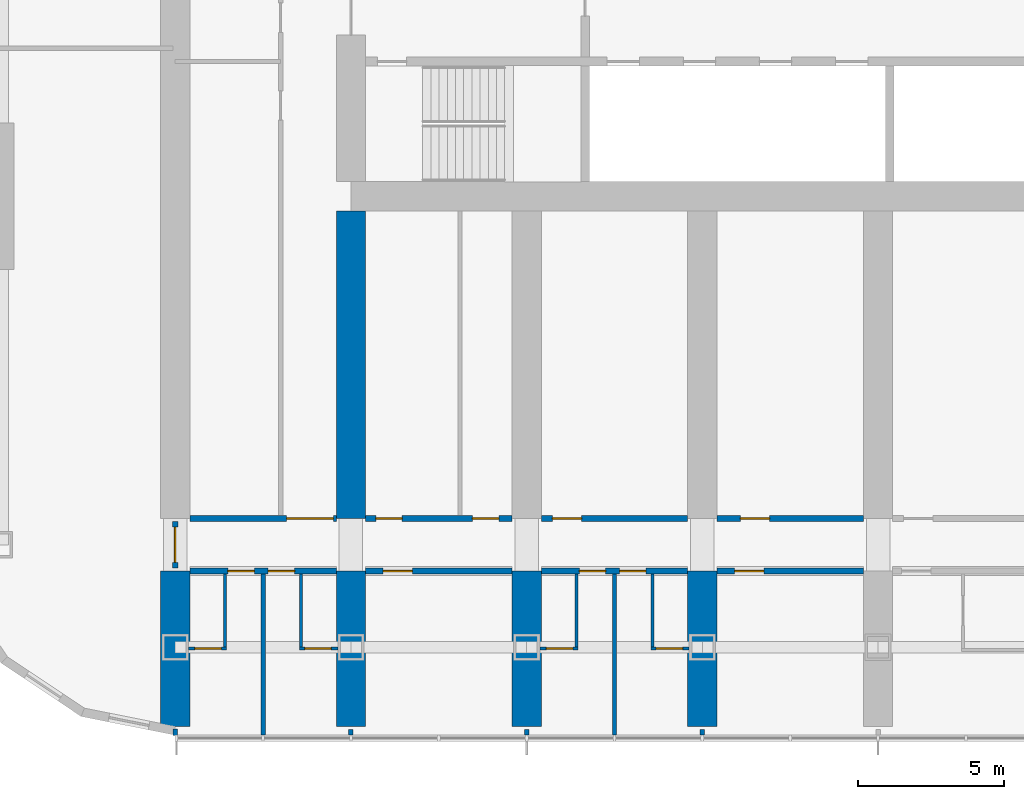
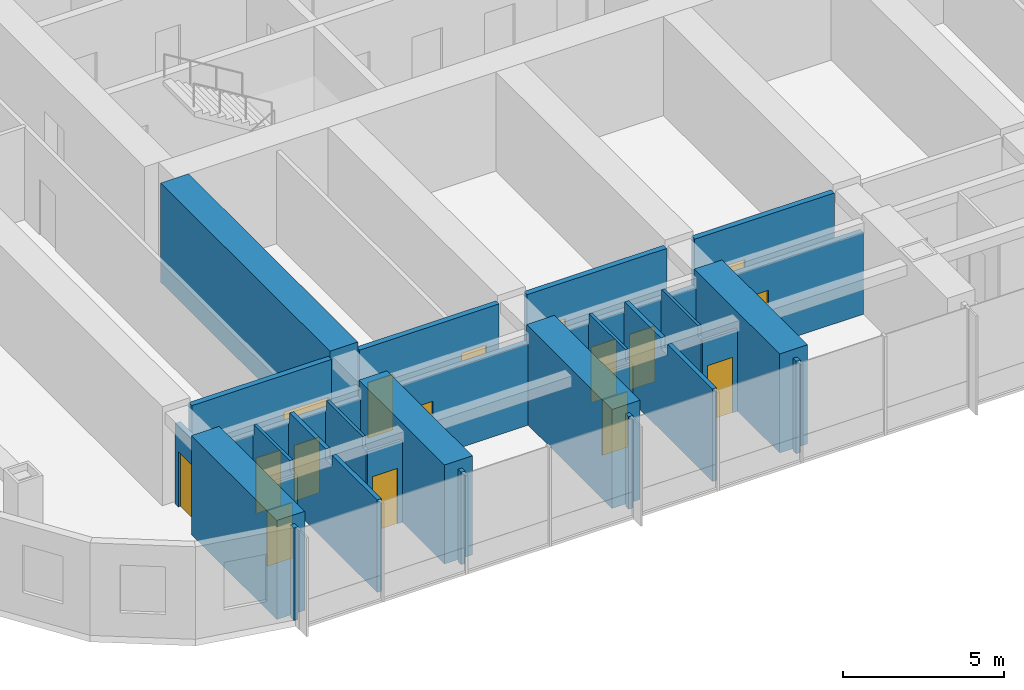
# One storey, part 10 of 23: 28 walls, 16 doors, 16 openings.
"""IFC4 building model written with IfcOpenShell, lengths in metres."""

from ifc_helpers import new_model, si_unit, direction, frame, frame_2d, origin, place, context, subcontext, project, spatial, polyline, rectangle, outline, extrude, material, layer, layer_set, type_object, element, fill, save


model = new_model("IFC4")

# Units and contexts
model_context = context("Model", 3, precision=1e-05, world=origin(), true_north=direction((0.0, 1.0)))
body_context = subcontext(model_context, "Body", "Model", "MODEL_VIEW")
ifc_project = project(units=[si_unit("LENGTHUNIT", "METRE"), si_unit("AREAUNIT", "SQUARE_METRE"), si_unit("VOLUMEUNIT", "CUBIC_METRE"), si_unit("PLANEANGLEUNIT", "RADIAN"), si_unit("MASSUNIT", "GRAM", prefix="KILO")], contexts=[model_context])

# Site, building, storey
site_placement = place(None, origin())
site = spatial("IfcSite", under=ifc_project, at=site_placement, CompositionType="ELEMENT")
building_placement = place(site_placement, origin())
building = spatial("IfcBuilding", under=site, at=building_placement, Name="Orbita Commons", CompositionType="ELEMENT")
storey_placement = place(building_placement, frame((0.0, 0.0, 61.449951171875)))
storey = spatial("IfcBuildingStorey", under=building, at=storey_placement, Name="L15", CompositionType="ELEMENT", Elevation=61.449951171875)

# Wall, openings, doors
ifc_material_1 = material(Name="Concrete blockwork", Category="masonry")
ifc_layer_1 = layer(ifc_material_1, 0.199951171875)
ifc_layer_set_1 = layer_set([ifc_layer_1], Name="Concrete blockwork")
wall_type_1 = type_object("IfcWallType", Name="Corridor wall 200 blockwork", PredefinedType="SOLIDWALL", material=ifc_layer_set_1)
wall_1_placement = place(storey_placement, frame((12.5, 13.0, 0.0), z_axis=(0.0, 0.0, 1.0), x_axis=(1.0, 0.0, 0.0)))
wall_1 = element("IfcWall", 1, at=wall_1_placement, inside=storey, type_object=wall_type_1, Name="Corridor wall 200 blockwork L15", PredefinedType="SOLIDWALL", context=body_context, shape_type="SweptSolid", body=[
    extrude(outline(polyline([(0.0, 0.0), (5.0, 0.0), (5.0, 3.10009765625), (0.0, 3.10009765625), (0.0, 0.0)])), frame((0.0, 0.10009765625, 0.0), z_axis=(0.0, -1.0, 0.0), x_axis=(1.0, 0.0, 0.0)), (0.0, 0.0, 1.0), 0.199951171875),
])
opening_1_placement = place(wall_1_placement, frame((1.300048828125, 0.0, 0.0)))
opening_1 = element("IfcOpeningElement", 2, at=opening_1_placement, cuts=wall_1, Name="Opening D11", PredefinedType="OPENING", context=body_context, shape_type="SweptSolid", body=[
    extrude(rectangle(XDim=0.89990234375, YDim=2.10009765625, at=frame_2d((0.449951171875, 1.050048828125))), frame((0.0, 0.10986328125, 0.0), z_axis=(0.0, -1.0, 0.0), x_axis=(1.0, 0.0, 0.0)), (0.0, 0.0, 1.0), 0.219970703125),
])
opening_2_placement = place(wall_1_placement, frame((2.675048828125, 0.0, 0.0)))
opening_2 = element("IfcOpeningElement", 3, at=opening_2_placement, cuts=wall_1, Name="Opening D11", PredefinedType="OPENING", context=body_context, shape_type="SweptSolid", body=[
    extrude(rectangle(XDim=0.89990234375, YDim=2.10009765625, at=frame_2d((0.449951171875, 1.050048828125))), frame((0.0, 0.10986328125, 0.0), z_axis=(0.0, -1.0, 0.0), x_axis=(1.0, 0.0, 0.0)), (0.0, 0.0, 1.0), 0.219970703125),
])
ifc_material_2 = material(Name="Steel-faced fire door leaf", Category="steel")
door_type_1 = type_object("IfcDoorType", Name="Corridor door 20 min 900x2100", OperationType="SINGLE_SWING_LEFT", PredefinedType="DOOR", material=ifc_material_2)
door_1_placement = place(opening_1_placement, origin())
door_1 = element("IfcDoor", 4, at=door_1_placement, inside=storey, type_object=door_type_1, Name="House bedroom L15-S00 door", OperationType="SINGLE_SWING_LEFT", OverallHeight=2.10009765625, OverallWidth=0.89990234375, PredefinedType="DOOR", context=body_context, shape_type="SweptSolid", body=[
    extrude(rectangle(XDim=0.89990234375, YDim=2.10009765625, at=frame_2d((0.449951171875, 1.050048828125))), frame((0.0, 0.02490234375, 0.0), z_axis=(0.0, -1.0, 0.0), x_axis=(1.0, 0.0, 0.0)), (0.0, 0.0, 1.0), 0.050048828125),
])
fill(opening_1, door_1)
door_2_placement = place(opening_2_placement, origin())
door_2 = element("IfcDoor", 5, at=door_2_placement, inside=storey, type_object=door_type_1, Name="House bedroom L15-S01 door", OperationType="SINGLE_SWING_LEFT", OverallHeight=2.10009765625, OverallWidth=0.89990234375, PredefinedType="DOOR", context=body_context, shape_type="SweptSolid", body=[
    extrude(rectangle(XDim=0.89990234375, YDim=2.10009765625, at=frame_2d((0.449951171875, 1.050048828125))), frame((0.0, 0.02490234375, 0.0), z_axis=(0.0, -1.0, 0.0), x_axis=(1.0, 0.0, 0.0)), (0.0, 0.0, 1.0), 0.050048828125),
])
fill(opening_2, door_2)

# Wall, opening, door
wall_2_placement = place(storey_placement, frame((18.5, 13.0, 0.0), z_axis=(0.0, 0.0, 1.0), x_axis=(1.0, 0.0, 0.0)))
wall_2 = element("IfcWall", 6, at=wall_2_placement, inside=storey, type_object=wall_type_1, Name="Corridor wall 200 blockwork L15", PredefinedType="SOLIDWALL", context=body_context, shape_type="SweptSolid", body=[
    extrude(outline(polyline([(0.0, 0.0), (5.0, 0.0), (5.0, 3.10009765625), (0.0, 3.10009765625), (0.0, 0.0)])), frame((0.0, 0.10009765625, 0.0), z_axis=(0.0, -1.0, 0.0), x_axis=(1.0, 0.0, 0.0)), (0.0, 0.0, 1.0), 0.199951171875),
])
opening_3_placement = place(wall_2_placement, frame((0.60009765625, 0.0, 0.0)))
opening_3 = element("IfcOpeningElement", 7, at=opening_3_placement, cuts=wall_2, Name="Opening D06", PredefinedType="OPENING", context=body_context, shape_type="SweptSolid", body=[
    extrude(rectangle(XDim=1.0, YDim=2.10009765625, at=frame_2d((0.5, 1.050048828125))), frame((0.0, 0.10986328125, 0.0), z_axis=(0.0, -1.0, 0.0), x_axis=(1.0, 0.0, 0.0)), (0.0, 0.0, 1.0), 0.219970703125),
])
ifc_material_3 = material(Name="Steel-faced fire door leaf", Category="steel")
door_type_2 = type_object("IfcDoorType", Name="Corridor door 20 min 1000x2100", OperationType="SINGLE_SWING_LEFT", PredefinedType="DOOR", material=ifc_material_3)
door_3_placement = place(opening_3_placement, origin())
door_3 = element("IfcDoor", 8, at=door_3_placement, inside=storey, type_object=door_type_2, Name="House study room L15-S02 door", OperationType="SINGLE_SWING_LEFT", OverallHeight=2.10009765625, OverallWidth=1.0, PredefinedType="DOOR", context=body_context, shape_type="SweptSolid", body=[
    extrude(rectangle(XDim=1.0, YDim=2.10009765625, at=frame_2d((0.5, 1.050048828125))), frame((0.0, 0.02490234375, 0.0), z_axis=(0.0, -1.0, 0.0), x_axis=(1.0, 0.0, 0.0)), (0.0, 0.0, 1.0), 0.050048828125),
])
fill(opening_3, door_3)

# Wall, openings, doors
wall_3_placement = place(storey_placement, frame((24.5, 13.0, 0.0), z_axis=(0.0, 0.0, 1.0), x_axis=(1.0, 0.0, 0.0)))
wall_3 = element("IfcWall", 9, at=wall_3_placement, inside=storey, type_object=wall_type_1, Name="Corridor wall 200 blockwork L15", PredefinedType="SOLIDWALL", context=body_context, shape_type="SweptSolid", body=[
    extrude(outline(polyline([(0.0, 0.0), (5.0, 0.0), (5.0, 3.10009765625), (0.0, 3.10009765625), (0.0, 0.0)])), frame((0.0, 0.10009765625, 0.0), z_axis=(0.0, -1.0, 0.0), x_axis=(1.0, 0.0, 0.0)), (0.0, 0.0, 1.0), 0.199951171875),
])
opening_4_placement = place(wall_3_placement, frame((1.300048828125, 0.0, 0.0)))
opening_4 = element("IfcOpeningElement", 10, at=opening_4_placement, cuts=wall_3, Name="Opening D11", PredefinedType="OPENING", context=body_context, shape_type="SweptSolid", body=[
    extrude(rectangle(XDim=0.89990234375, YDim=2.10009765625, at=frame_2d((0.449951171875, 1.050048828125))), frame((0.0, 0.10986328125, 0.0), z_axis=(0.0, -1.0, 0.0), x_axis=(1.0, 0.0, 0.0)), (0.0, 0.0, 1.0), 0.219970703125),
])
opening_5_placement = place(wall_3_placement, frame((2.675048828125, 0.0, 0.0)))
opening_5 = element("IfcOpeningElement", 11, at=opening_5_placement, cuts=wall_3, Name="Opening D11", PredefinedType="OPENING", context=body_context, shape_type="SweptSolid", body=[
    extrude(rectangle(XDim=0.89990234375, YDim=2.10009765625, at=frame_2d((0.449951171875, 1.050048828125))), frame((0.0, 0.10986328125, 0.0), z_axis=(0.0, -1.0, 0.0), x_axis=(1.0, 0.0, 0.0)), (0.0, 0.0, 1.0), 0.219970703125),
])
door_4_placement = place(opening_4_placement, origin())
door_4 = element("IfcDoor", 12, at=door_4_placement, inside=storey, type_object=door_type_1, Name="House bedroom L15-S04 door", OperationType="SINGLE_SWING_LEFT", OverallHeight=2.10009765625, OverallWidth=0.89990234375, PredefinedType="DOOR", context=body_context, shape_type="SweptSolid", body=[
    extrude(rectangle(XDim=0.89990234375, YDim=2.10009765625, at=frame_2d((0.449951171875, 1.050048828125))), frame((0.0, 0.02490234375, 0.0), z_axis=(0.0, -1.0, 0.0), x_axis=(1.0, 0.0, 0.0)), (0.0, 0.0, 1.0), 0.050048828125),
])
fill(opening_4, door_4)
door_5_placement = place(opening_5_placement, origin())
door_5 = element("IfcDoor", 13, at=door_5_placement, inside=storey, type_object=door_type_1, Name="House bedroom L15-S05 door", OperationType="SINGLE_SWING_LEFT", OverallHeight=2.10009765625, OverallWidth=0.89990234375, PredefinedType="DOOR", context=body_context, shape_type="SweptSolid", body=[
    extrude(rectangle(XDim=0.89990234375, YDim=2.10009765625, at=frame_2d((0.449951171875, 1.050048828125))), frame((0.0, 0.02490234375, 0.0), z_axis=(0.0, -1.0, 0.0), x_axis=(1.0, 0.0, 0.0)), (0.0, 0.0, 1.0), 0.050048828125),
])
fill(opening_5, door_5)

# Wall, opening, door
wall_4_placement = place(storey_placement, frame((30.5, 13.0, 0.0), z_axis=(0.0, 0.0, 1.0), x_axis=(1.0, 0.0, 0.0)))
wall_4 = element("IfcWall", 14, at=wall_4_placement, inside=storey, type_object=wall_type_1, Name="Corridor wall 200 blockwork L15", PredefinedType="SOLIDWALL", context=body_context, shape_type="SweptSolid", body=[
    extrude(outline(polyline([(0.0, 0.0), (5.0, 0.0), (5.0, 3.10009765625), (0.0, 3.10009765625), (0.0, 0.0)])), frame((0.0, 0.10009765625, 0.0), z_axis=(0.0, -1.0, 0.0), x_axis=(1.0, 0.0, 0.0)), (0.0, 0.0, 1.0), 0.199951171875),
])
opening_6_placement = place(wall_4_placement, frame((0.60009765625, 0.0, 0.0)))
opening_6 = element("IfcOpeningElement", 15, at=opening_6_placement, cuts=wall_4, Name="Opening D06", PredefinedType="OPENING", context=body_context, shape_type="SweptSolid", body=[
    extrude(rectangle(XDim=1.0, YDim=2.10009765625, at=frame_2d((0.5, 1.050048828125))), frame((0.0, 0.10986328125, 0.0), z_axis=(0.0, -1.0, 0.0), x_axis=(1.0, 0.0, 0.0)), (0.0, 0.0, 1.0), 0.219970703125),
])
door_6_placement = place(opening_6_placement, origin())
door_6 = element("IfcDoor", 16, at=door_6_placement, inside=storey, type_object=door_type_2, Name="House study room L15-S06 door", OperationType="SINGLE_SWING_LEFT", OverallHeight=2.10009765625, OverallWidth=1.0, PredefinedType="DOOR", context=body_context, shape_type="SweptSolid", body=[
    extrude(rectangle(XDim=1.0, YDim=2.10009765625, at=frame_2d((0.5, 1.050048828125))), frame((0.0, 0.02490234375, 0.0), z_axis=(0.0, -1.0, 0.0), x_axis=(1.0, 0.0, 0.0)), (0.0, 0.0, 1.0), 0.050048828125),
])
fill(opening_6, door_6)

wall_5_placement = place(storey_placement, frame((12.0, 13.10009765625, 0.0), z_axis=(0.0, 0.0, 1.0), x_axis=(0.0, 1.0, 0.0)))
wall_5 = element("IfcWall", 17, at=wall_5_placement, inside=storey, type_object=wall_type_1, Name="Corridor wall 200 blockwork L15", PredefinedType="SOLIDWALL", context=body_context, shape_type="SweptSolid", body=[
    extrude(outline(polyline([(0.0, 0.0), (1.599853515625, 0.0), (1.60009765625, 3.050048828125), (0.0, 3.050048828125), (0.0, 0.0)])), frame((0.0, 0.10009765625, 0.0), z_axis=(0.0, -1.0, 0.0), x_axis=(1.0, 0.0, 0.0)), (0.0, 0.0, 1.0), 0.199951171875),
])
opening_7_placement = place(wall_5_placement, frame((0.199951171875, 0.0, 0.0)))
opening_7 = element("IfcOpeningElement", 18, at=opening_7_placement, cuts=wall_5, Name="Opening D12", PredefinedType="OPENING", context=body_context, shape_type="SweptSolid", body=[
    extrude(rectangle(XDim=1.199951171875, YDim=2.10009765625, at=frame_2d((0.60009765625, 1.050048828125))), frame((0.0, 0.10986328125, 0.0), z_axis=(0.0, -1.0, 0.0), x_axis=(1.0, 0.0, 0.0)), (0.0, 0.0, 1.0), 0.219970703125),
])
ifc_material_4 = material(Name="Steel-faced fire door leaf", Category="steel")
door_type_3 = type_object("IfcDoorType", Name="Double corridor door 20 min 1200x2100", OperationType="DOUBLE_DOOR_SINGLE_SWING", PredefinedType="DOOR", material=ifc_material_4)
door_7_placement = place(opening_7_placement, origin())
door_7 = element("IfcDoor", 19, at=door_7_placement, inside=storey, type_object=door_type_3, Name="Lounge doors", OperationType="DOUBLE_DOOR_SINGLE_SWING", OverallHeight=2.10009765625, OverallWidth=1.199951171875, PredefinedType="DOOR", context=body_context, shape_type="SweptSolid", body=[
    extrude(rectangle(XDim=1.199951171875, YDim=2.10009765625, at=frame_2d((0.60009765625, 1.050048828125))), frame((0.0, 0.02490234375, 0.0), z_axis=(0.0, -1.0, 0.0), x_axis=(1.0, 0.0, 0.0)), (0.0, 0.0, 1.0), 0.050048828125),
])
fill(opening_7, door_7)

ifc_material_5 = material(Name="Hollow concrete block 200", Category="concrete")
ifc_layer_2 = layer(ifc_material_5, 0.199951171875)
ifc_layer_set_2 = layer_set([ifc_layer_2], Name="Hollow concrete block 200")
wall_type_2 = type_object("IfcWallType", Name="Corridor wall 200 hollow concrete block", PredefinedType="SOLIDWALL", material=ifc_layer_set_2)
wall_6_placement = place(storey_placement, frame((12.5, 14.800048828125, 0.0), z_axis=(0.0, 0.0, 1.0), x_axis=(1.0, 0.0, 0.0)))
wall_6 = element("IfcWall", 20, at=wall_6_placement, inside=storey, type_object=wall_type_2, Name="Corridor wall 200 hollow concrete block L15", PredefinedType="SOLIDWALL", context=body_context, shape_type="SweptSolid", body=[
    extrude(rectangle(XDim=5.0, YDim=0.199951171875, at=frame_2d((2.5, 0.0))), origin(), (0.0, 0.0, 1.0), 3.5),
])
opening_8_placement = place(wall_6_placement, frame((3.300048828125, 0.0, 0.0)))
opening_8 = element("IfcOpeningElement", 21, at=opening_8_placement, cuts=wall_6, Name="Opening D10", PredefinedType="OPENING", context=body_context, shape_type="SweptSolid", body=[
    extrude(rectangle(XDim=1.60009765625, YDim=2.10009765625, at=frame_2d((0.800048828125, 1.050048828125))), frame((0.0, 0.10986328125, 0.0), z_axis=(0.0, -1.0, 0.0), x_axis=(1.0, 0.0, 0.0)), (0.0, 0.0, 1.0), 0.219970703125),
])
ifc_material_6 = material(Name="Steel-faced fire door leaf", Category="steel")
door_type_4 = type_object("IfcDoorType", Name="Double corridor door 20 min 1600x2100", OperationType="DOUBLE_DOOR_SINGLE_SWING", PredefinedType="DOOR", material=ifc_material_6)
door_8_placement = place(opening_8_placement, origin())
door_8 = element("IfcDoor", 22, at=door_8_placement, inside=storey, type_object=door_type_4, Name="Cross corridor doors", OperationType="DOUBLE_DOOR_SINGLE_SWING", OverallHeight=2.10009765625, OverallWidth=1.60009765625, PredefinedType="DOOR", context=body_context, shape_type="SweptSolid", body=[
    extrude(rectangle(XDim=1.60009765625, YDim=2.10009765625, at=frame_2d((0.800048828125, 1.050048828125))), frame((0.0, 0.02490234375, 0.0), z_axis=(0.0, -1.0, 0.0), x_axis=(1.0, 0.0, 0.0)), (0.0, 0.0, 1.0), 0.050048828125),
])
fill(opening_8, door_8)

# Wall, openings, doors
wall_7_placement = place(storey_placement, frame((18.5, 14.800048828125, 0.0), z_axis=(0.0, 0.0, 1.0), x_axis=(1.0, 0.0, 0.0)))
wall_7 = element("IfcWall", 23, at=wall_7_placement, inside=storey, type_object=wall_type_2, Name="Corridor wall 200 hollow concrete block L15", PredefinedType="SOLIDWALL", context=body_context, shape_type="SweptSolid", body=[
    extrude(rectangle(XDim=5.0, YDim=0.199951171875, at=frame_2d((2.5, 0.0))), origin(), (0.0, 0.0, 1.0), 3.5),
])
opening_9_placement = place(wall_7_placement, frame((0.35009765625, 0.0, 0.0)))
opening_9 = element("IfcOpeningElement", 24, at=opening_9_placement, cuts=wall_7, Name="Opening D11", PredefinedType="OPENING", context=body_context, shape_type="SweptSolid", body=[
    extrude(rectangle(XDim=0.89990234375, YDim=2.10009765625, at=frame_2d((0.449951171875, 1.050048828125))), frame((0.0, 0.10986328125, 0.0), z_axis=(0.0, -1.0, 0.0), x_axis=(1.0, 0.0, 0.0)), (0.0, 0.0, 1.0), 0.219970703125),
])
opening_10_placement = place(wall_7_placement, frame((3.64990234375, 0.0, 0.0)))
opening_10 = element("IfcOpeningElement", 25, at=opening_10_placement, cuts=wall_7, Name="Opening D11", PredefinedType="OPENING", context=body_context, shape_type="SweptSolid", body=[
    extrude(rectangle(XDim=0.89990234375, YDim=2.10009765625, at=frame_2d((0.449951171875, 1.050048828125))), frame((0.0, 0.10986328125, 0.0), z_axis=(0.0, -1.0, 0.0), x_axis=(1.0, 0.0, 0.0)), (0.0, 0.0, 1.0), 0.219970703125),
])
door_9_placement = place(opening_9_placement, origin())
door_9 = element("IfcDoor", 26, at=door_9_placement, inside=storey, type_object=door_type_1, Name="Group meeting room L15-BDS18 door", OperationType="SINGLE_SWING_LEFT", OverallHeight=2.10009765625, OverallWidth=0.89990234375, PredefinedType="DOOR", context=body_context, shape_type="SweptSolid", body=[
    extrude(rectangle(XDim=0.89990234375, YDim=2.10009765625, at=frame_2d((0.449951171875, 1.050048828125))), frame((0.0, 0.02490234375, 0.0), z_axis=(0.0, -1.0, 0.0), x_axis=(1.0, 0.0, 0.0)), (0.0, 0.0, 1.0), 0.050048828125),
])
fill(opening_9, door_9)
door_10_placement = place(opening_10_placement, origin())
door_10 = element("IfcDoor", 27, at=door_10_placement, inside=storey, type_object=door_type_1, Name="Accessible WC and shower room L15-BDS18n door", OperationType="SINGLE_SWING_LEFT", OverallHeight=2.10009765625, OverallWidth=0.89990234375, PredefinedType="DOOR", context=body_context, shape_type="SweptSolid", body=[
    extrude(rectangle(XDim=0.89990234375, YDim=2.10009765625, at=frame_2d((0.449951171875, 1.050048828125))), frame((0.0, 0.02490234375, 0.0), z_axis=(0.0, -1.0, 0.0), x_axis=(1.0, 0.0, 0.0)), (0.0, 0.0, 1.0), 0.050048828125),
])
fill(opening_10, door_10)

# Wall, opening, door
wall_8_placement = place(storey_placement, frame((24.5, 14.800048828125, 0.0), z_axis=(0.0, 0.0, 1.0), x_axis=(1.0, 0.0, 0.0)))
wall_8 = element("IfcWall", 28, at=wall_8_placement, inside=storey, type_object=wall_type_2, Name="Corridor wall 200 hollow concrete block L15", PredefinedType="SOLIDWALL", context=body_context, shape_type="SweptSolid", body=[
    extrude(rectangle(XDim=5.0, YDim=0.199951171875, at=frame_2d((2.5, 0.0))), origin(), (0.0, 0.0, 1.0), 3.5),
])
opening_11_placement = place(wall_8_placement, frame((0.375, 0.0, 0.0)))
opening_11 = element("IfcOpeningElement", 29, at=opening_11_placement, cuts=wall_8, Name="Opening D06", PredefinedType="OPENING", context=body_context, shape_type="SweptSolid", body=[
    extrude(rectangle(XDim=1.0, YDim=2.10009765625, at=frame_2d((0.5, 1.050048828125))), frame((0.0, 0.10986328125, 0.0), z_axis=(0.0, -1.0, 0.0), x_axis=(1.0, 0.0, 0.0)), (0.0, 0.0, 1.0), 0.219970703125),
])
door_11_placement = place(opening_11_placement, origin())
door_11 = element("IfcDoor", 30, at=door_11_placement, inside=storey, type_object=door_type_2, Name="Refuse and recycling room L15-BDS24 door", OperationType="SINGLE_SWING_LEFT", OverallHeight=2.10009765625, OverallWidth=1.0, PredefinedType="DOOR", context=body_context, shape_type="SweptSolid", body=[
    extrude(rectangle(XDim=1.0, YDim=2.10009765625, at=frame_2d((0.5, 1.050048828125))), frame((0.0, 0.02490234375, 0.0), z_axis=(0.0, -1.0, 0.0), x_axis=(1.0, 0.0, 0.0)), (0.0, 0.0, 1.0), 0.050048828125),
])
fill(opening_11, door_11)

wall_9_placement = place(storey_placement, frame((30.5, 14.800048828125, 0.0), z_axis=(0.0, 0.0, 1.0), x_axis=(1.0, 0.0, 0.0)))
wall_9 = element("IfcWall", 31, at=wall_9_placement, inside=storey, type_object=wall_type_2, Name="Corridor wall 200 hollow concrete block L15", PredefinedType="SOLIDWALL", context=body_context, shape_type="SweptSolid", body=[
    extrude(rectangle(XDim=5.0, YDim=0.199951171875, at=frame_2d((2.5, 0.0))), origin(), (0.0, 0.0, 1.0), 3.5),
])
opening_12_placement = place(wall_9_placement, frame((0.800048828125, 0.0, 0.0)))
opening_12 = element("IfcOpeningElement", 32, at=opening_12_placement, cuts=wall_9, Name="Opening D06", PredefinedType="OPENING", context=body_context, shape_type="SweptSolid", body=[
    extrude(rectangle(XDim=1.0, YDim=2.10009765625, at=frame_2d((0.5, 1.050048828125))), frame((0.0, 0.10986328125, 0.0), z_axis=(0.0, -1.0, 0.0), x_axis=(1.0, 0.0, 0.0)), (0.0, 0.0, 1.0), 0.219970703125),
])
door_12_placement = place(opening_12_placement, origin())
door_12 = element("IfcDoor", 33, at=door_12_placement, inside=storey, type_object=door_type_2, Name="House pantry L15-BDS30 door", OperationType="SINGLE_SWING_LEFT", OverallHeight=2.10009765625, OverallWidth=1.0, PredefinedType="DOOR", context=body_context, shape_type="SweptSolid", body=[
    extrude(rectangle(XDim=1.0, YDim=2.10009765625, at=frame_2d((0.5, 1.050048828125))), frame((0.0, 0.02490234375, 0.0), z_axis=(0.0, -1.0, 0.0), x_axis=(1.0, 0.0, 0.0)), (0.0, 0.0, 1.0), 0.050048828125),
])
fill(opening_12, door_12)

# Walls
ifc_material_7 = material(Name="Concrete C50/60", Category="concrete")
ifc_layer_3 = layer(ifc_material_7, 1.0)
ifc_layer_set_3 = layer_set([ifc_layer_3], Name="Concrete C50/60")
wall_type_3 = type_object("IfcWallType", Name="Cross wall 1000 C50/60", PredefinedType="SHEAR", material=ifc_layer_set_3)
for number, where, z_axis, x_axis, name in (
    (34, (12.0, 7.699951171875, 0.0), (0.0, 0.0, 1.0), (0.0, 1.0, 0.0), "Cross wall 3 south outer L15"),
    (35, (18.0, 7.699951171875, 0.0), (0.0, 0.0, 1.0), (0.0, 1.0, 0.0), "Cross wall 4 south outer L15"),
):
    element("IfcWall", number, at=place(storey_placement, frame(where, z_axis=z_axis, x_axis=x_axis)), inside=storey, type_object=wall_type_3, Name=name, PredefinedType="SHEAR", context=body_context, shape_type="SweptSolid", body=[
        extrude(rectangle(XDim=5.300048828125, YDim=1.0, at=frame_2d((2.64990234375, 0.0))), origin(), (0.0, 0.0, 1.0), 3.75),
    ])
wall_10_placement = place(storey_placement, frame((18.0, 14.800048828125, 0.0), z_axis=(0.0, 0.0, 1.0), x_axis=(0.0, 1.0, 0.0)))
element("IfcWall", 36, at=wall_10_placement, inside=storey, type_object=wall_type_3, Name="Cross wall 4 south inner L15", PredefinedType="SHEAR", context=body_context, shape_type="SweptSolid", body=[
    extrude(rectangle(XDim=10.5, YDim=1.0, at=frame_2d((5.25, 0.0))), origin(), (0.0, 0.0, 1.0), 3.75),
])
for number, where, z_axis, x_axis, name in (
    (37, (24.0, 7.699951171875, 0.0), (0.0, 0.0, 1.0), (0.0, 1.0, 0.0), "Cross wall 5 south outer L15"),
    (38, (30.0, 7.699951171875, 0.0), (0.0, 0.0, 1.0), (0.0, 1.0, 0.0), "Cross wall 6 south outer L15"),
):
    element("IfcWall", number, at=place(storey_placement, frame(where, z_axis=z_axis, x_axis=x_axis)), inside=storey, type_object=wall_type_3, Name=name, PredefinedType="SHEAR", context=body_context, shape_type="SweptSolid", body=[
        extrude(rectangle(XDim=5.300048828125, YDim=1.0, at=frame_2d((2.64990234375, 0.0))), origin(), (0.0, 0.0, 1.0), 3.75),
    ])

# Wall, opening, door
ifc_material_8 = material(Name="Moisture-resistant plasterboard on steel studs", Category="steel")
ifc_layer_4 = layer(ifc_material_8, 0.10009765625)
ifc_layer_set_4 = layer_set([ifc_layer_4], Name="Moisture-resistant plasterboard on steel studs")
wall_type_4 = type_object("IfcWallType", Name="En-suite partition 100", PredefinedType="PARTITIONING", material=ifc_layer_set_4)
wall_11_placement = place(storey_placement, frame((13.75, 10.3583984375, 0.0), z_axis=(0.0, 0.0, 1.0), x_axis=(-1.0, 0.0, 0.0)))
wall_11 = element("IfcWall", 39, at=wall_11_placement, inside=storey, type_object=wall_type_4, Name="En-suite partition 100 L15", PredefinedType="PARTITIONING", context=body_context, shape_type="SweptSolid", body=[
    extrude(outline(polyline([(0.0, 0.0), (1.300048828125, 0.0), (1.300048828125, 3.10009765625), (0.0, 3.10009765625), (0.0, 0.0)])), frame((0.0, 0.050048828125, 0.0), z_axis=(0.0, -1.0, 0.0), x_axis=(1.0, 0.0, 0.0)), (0.0, 0.0, 1.0), 0.10009765625),
])
opening_13_placement = place(wall_11_placement, frame((0.175048828125, 0.0, 0.0)))
opening_13 = element("IfcOpeningElement", 40, at=opening_13_placement, cuts=wall_11, Name="Opening D09", PredefinedType="OPENING", context=body_context, shape_type="SweptSolid", body=[
    extrude(rectangle(XDim=0.89990234375, YDim=2.10009765625, at=frame_2d((0.449951171875, 1.050048828125))), frame((0.0, 0.06005859375, 0.0), z_axis=(0.0, -1.0, 0.0), x_axis=(1.0, 0.0, 0.0)), (0.0, 0.0, 1.0), 0.1201171875),
])
ifc_material_9 = material(Name="Laminated timber door leaf", Category="wood")
door_type_5 = type_object("IfcDoorType", Name="En-suite door 900x2100", OperationType="SINGLE_SWING_RIGHT", PredefinedType="DOOR", material=ifc_material_9)
door_13_placement = place(opening_13_placement, origin())
door_13 = element("IfcDoor", 41, at=door_13_placement, inside=storey, type_object=door_type_5, Name="En-suite L15-S00 door", OperationType="SINGLE_SWING_RIGHT", OverallHeight=2.10009765625, OverallWidth=0.89990234375, PredefinedType="DOOR", context=body_context, shape_type="SweptSolid", body=[
    extrude(rectangle(XDim=0.89990234375, YDim=2.10009765625, at=frame_2d((0.449951171875, 1.050048828125))), frame((0.0, 0.02490234375, 0.0), z_axis=(0.0, -1.0, 0.0), x_axis=(1.0, 0.0, 0.0)), (0.0, 0.0, 1.0), 0.050048828125),
])
fill(opening_13, door_13)

# Wall
wall_12_placement = place(storey_placement, frame((13.699951171875, 10.408203125, 0.0), z_axis=(0.0, 0.0, 1.0), x_axis=(0.0, 1.0, 0.0)))
element("IfcWall", 42, at=wall_12_placement, inside=storey, type_object=wall_type_4, Name="En-suite partition 100 L15", PredefinedType="PARTITIONING", context=body_context, shape_type="SweptSolid", body=[
    extrude(outline(polyline([(0.0, 0.0), (2.49169921875, 0.0), (2.49169921875, 3.10009765625), (2.443603515625, 3.10009765625), (2.441650390625, 3.5), (0.193603515625, 3.5), (0.191650390625, 3.10009765625), (0.0, 3.10009765625), (0.0, 0.0)])), frame((0.0, 0.050048828125, 0.0), z_axis=(0.0, -1.0, 0.0), x_axis=(1.0, 0.0, 0.0)), (0.0, 0.0, 1.0), 0.10009765625),
])

# Wall, opening, door
wall_13_placement = place(storey_placement, frame((17.550048828125, 10.3583984375, 0.0), z_axis=(0.0, 0.0, 1.0), x_axis=(-1.0, 0.0, 0.0)))
wall_13 = element("IfcWall", 43, at=wall_13_placement, inside=storey, type_object=wall_type_4, Name="En-suite partition 100 L15", PredefinedType="PARTITIONING", context=body_context, shape_type="SweptSolid", body=[
    extrude(outline(polyline([(0.0, 0.0), (1.300048828125, 0.0), (1.300048828125, 3.10009765625), (0.0, 3.10009765625), (0.0, 0.0)])), frame((0.0, 0.050048828125, 0.0), z_axis=(0.0, -1.0, 0.0), x_axis=(1.0, 0.0, 0.0)), (0.0, 0.0, 1.0), 0.10009765625),
])
opening_14_placement = place(wall_13_placement, frame((0.22509765625, 0.0, 0.0)))
opening_14 = element("IfcOpeningElement", 44, at=opening_14_placement, cuts=wall_13, Name="Opening D09", PredefinedType="OPENING", context=body_context, shape_type="SweptSolid", body=[
    extrude(rectangle(XDim=0.89990234375, YDim=2.10009765625, at=frame_2d((0.449951171875, 1.050048828125))), frame((0.0, 0.06005859375, 0.0), z_axis=(0.0, -1.0, 0.0), x_axis=(1.0, 0.0, 0.0)), (0.0, 0.0, 1.0), 0.1201171875),
])
door_14_placement = place(opening_14_placement, origin())
door_14 = element("IfcDoor", 45, at=door_14_placement, inside=storey, type_object=door_type_5, Name="En-suite L15-S01 door", OperationType="SINGLE_SWING_RIGHT", OverallHeight=2.10009765625, OverallWidth=0.89990234375, PredefinedType="DOOR", context=body_context, shape_type="SweptSolid", body=[
    extrude(rectangle(XDim=0.89990234375, YDim=2.10009765625, at=frame_2d((0.449951171875, 1.050048828125))), frame((0.0, 0.02490234375, 0.0), z_axis=(0.0, -1.0, 0.0), x_axis=(1.0, 0.0, 0.0)), (0.0, 0.0, 1.0), 0.050048828125),
])
fill(opening_14, door_14)

# Wall
wall_14_placement = place(storey_placement, frame((16.300048828125, 10.408203125, 0.0), z_axis=(0.0, 0.0, 1.0), x_axis=(0.0, 1.0, 0.0)))
element("IfcWall", 46, at=wall_14_placement, inside=storey, type_object=wall_type_4, Name="En-suite partition 100 L15", PredefinedType="PARTITIONING", context=body_context, shape_type="SweptSolid", body=[
    extrude(outline(polyline([(0.0, 0.0), (2.49169921875, 0.0), (2.49169921875, 3.10009765625), (2.443603515625, 3.10009765625), (2.441650390625, 3.5), (0.193603515625, 3.5), (0.191650390625, 3.10009765625), (0.0, 3.10009765625), (0.0, 0.0)])), frame((0.0, 0.050048828125, 0.0), z_axis=(0.0, -1.0, 0.0), x_axis=(1.0, 0.0, 0.0)), (0.0, 0.0, 1.0), 0.10009765625),
])

# Wall, opening, door
wall_15_placement = place(storey_placement, frame((25.75, 10.3583984375, 0.0), z_axis=(0.0, 0.0, 1.0), x_axis=(-1.0, 0.0, 0.0)))
wall_15 = element("IfcWall", 47, at=wall_15_placement, inside=storey, type_object=wall_type_4, Name="En-suite partition 100 L15", PredefinedType="PARTITIONING", context=body_context, shape_type="SweptSolid", body=[
    extrude(outline(polyline([(0.0, 0.0), (1.300048828125, 0.0), (1.300048828125, 3.10009765625), (0.0, 3.10009765625), (0.0, 0.0)])), frame((0.0, 0.050048828125, 0.0), z_axis=(0.0, -1.0, 0.0), x_axis=(1.0, 0.0, 0.0)), (0.0, 0.0, 1.0), 0.10009765625),
])
opening_15_placement = place(wall_15_placement, frame((0.175048828125, 0.0, 0.0)))
opening_15 = element("IfcOpeningElement", 48, at=opening_15_placement, cuts=wall_15, Name="Opening D09", PredefinedType="OPENING", context=body_context, shape_type="SweptSolid", body=[
    extrude(rectangle(XDim=0.89990234375, YDim=2.10009765625, at=frame_2d((0.449951171875, 1.050048828125))), frame((0.0, 0.06005859375, 0.0), z_axis=(0.0, -1.0, 0.0), x_axis=(1.0, 0.0, 0.0)), (0.0, 0.0, 1.0), 0.1201171875),
])
door_15_placement = place(opening_15_placement, origin())
door_15 = element("IfcDoor", 49, at=door_15_placement, inside=storey, type_object=door_type_5, Name="En-suite L15-S04 door", OperationType="SINGLE_SWING_RIGHT", OverallHeight=2.10009765625, OverallWidth=0.89990234375, PredefinedType="DOOR", context=body_context, shape_type="SweptSolid", body=[
    extrude(rectangle(XDim=0.89990234375, YDim=2.10009765625, at=frame_2d((0.449951171875, 1.050048828125))), frame((0.0, 0.02490234375, 0.0), z_axis=(0.0, -1.0, 0.0), x_axis=(1.0, 0.0, 0.0)), (0.0, 0.0, 1.0), 0.050048828125),
])
fill(opening_15, door_15)

# Wall
wall_16_placement = place(storey_placement, frame((25.699951171875, 10.408203125, 0.0), z_axis=(0.0, 0.0, 1.0), x_axis=(0.0, 1.0, 0.0)))
element("IfcWall", 50, at=wall_16_placement, inside=storey, type_object=wall_type_4, Name="En-suite partition 100 L15", PredefinedType="PARTITIONING", context=body_context, shape_type="SweptSolid", body=[
    extrude(outline(polyline([(0.0, 0.0), (2.49169921875, 0.0), (2.49169921875, 3.10009765625), (2.443603515625, 3.10009765625), (2.441650390625, 3.5), (0.193603515625, 3.5), (0.191650390625, 3.10009765625), (0.0, 3.10009765625), (0.0, 0.0)])), frame((0.0, 0.050048828125, 0.0), z_axis=(0.0, -1.0, 0.0), x_axis=(1.0, 0.0, 0.0)), (0.0, 0.0, 1.0), 0.10009765625),
])

# Wall, opening, door
wall_17_placement = place(storey_placement, frame((29.550048828125, 10.3583984375, 0.0), z_axis=(0.0, 0.0, 1.0), x_axis=(-1.0, 0.0, 0.0)))
wall_17 = element("IfcWall", 51, at=wall_17_placement, inside=storey, type_object=wall_type_4, Name="En-suite partition 100 L15", PredefinedType="PARTITIONING", context=body_context, shape_type="SweptSolid", body=[
    extrude(outline(polyline([(0.0, 0.0), (1.300048828125, 0.0), (1.300048828125, 3.10009765625), (0.0, 3.10009765625), (0.0, 0.0)])), frame((0.0, 0.050048828125, 0.0), z_axis=(0.0, -1.0, 0.0), x_axis=(1.0, 0.0, 0.0)), (0.0, 0.0, 1.0), 0.10009765625),
])
opening_16_placement = place(wall_17_placement, frame((0.22509765625, 0.0, 0.0)))
opening_16 = element("IfcOpeningElement", 52, at=opening_16_placement, cuts=wall_17, Name="Opening D09", PredefinedType="OPENING", context=body_context, shape_type="SweptSolid", body=[
    extrude(rectangle(XDim=0.89990234375, YDim=2.10009765625, at=frame_2d((0.449951171875, 1.050048828125))), frame((0.0, 0.06005859375, 0.0), z_axis=(0.0, -1.0, 0.0), x_axis=(1.0, 0.0, 0.0)), (0.0, 0.0, 1.0), 0.1201171875),
])
door_16_placement = place(opening_16_placement, origin())
door_16 = element("IfcDoor", 53, at=door_16_placement, inside=storey, type_object=door_type_5, Name="En-suite L15-S05 door", OperationType="SINGLE_SWING_RIGHT", OverallHeight=2.10009765625, OverallWidth=0.89990234375, PredefinedType="DOOR", context=body_context, shape_type="SweptSolid", body=[
    extrude(rectangle(XDim=0.89990234375, YDim=2.10009765625, at=frame_2d((0.449951171875, 1.050048828125))), frame((0.0, 0.02490234375, 0.0), z_axis=(0.0, -1.0, 0.0), x_axis=(1.0, 0.0, 0.0)), (0.0, 0.0, 1.0), 0.050048828125),
])
fill(opening_16, door_16)

# Walls
wall_18_placement = place(storey_placement, frame((28.300048828125, 10.408203125, 0.0), z_axis=(0.0, 0.0, 1.0), x_axis=(0.0, 1.0, 0.0)))
element("IfcWall", 54, at=wall_18_placement, inside=storey, type_object=wall_type_4, Name="En-suite partition 100 L15", PredefinedType="PARTITIONING", context=body_context, shape_type="SweptSolid", body=[
    extrude(outline(polyline([(0.0, 0.0), (2.49169921875, 0.0), (2.49169921875, 3.10009765625), (2.443603515625, 3.10009765625), (2.441650390625, 3.5), (0.193603515625, 3.5), (0.191650390625, 3.10009765625), (0.0, 3.10009765625), (0.0, 0.0)])), frame((0.0, 0.050048828125, 0.0), z_axis=(0.0, -1.0, 0.0), x_axis=(1.0, 0.0, 0.0)), (0.0, 0.0, 1.0), 0.10009765625),
])
ifc_material_10 = material(Name="Gypsum plasterboard on steel studs", Category="steel")
ifc_layer_5 = layer(ifc_material_10, 0.14990234375)
ifc_layer_set_5 = layer_set([ifc_layer_5], Name="Gypsum plasterboard on steel studs")
wall_type_5 = type_object("IfcWallType", Name="Partition 150 plasterboard", PredefinedType="PARTITIONING", material=ifc_layer_set_5)
wall_19_placement = place(storey_placement, frame((12.0, 7.60009765625, 0.0), z_axis=(0.0, 0.0, 1.0), x_axis=(0.0, -1.0, 0.0)))
element("IfcWall", 55, at=wall_19_placement, inside=storey, type_object=wall_type_5, Name="Partition 150 plasterboard L15", PredefinedType="PARTITIONING", context=body_context, shape_type="SweptSolid", body=[
    extrude(rectangle(XDim=0.22021484375, YDim=0.14990234375, at=frame_2d((0.110107421875, 0.0))), origin(), (0.0, 0.0, 1.0), 3.5),
])
for number, where, z_axis, x_axis, name in (
    (56, (18.0, 7.60009765625, 0.0), (0.0, 0.0, 1.0), (0.0, -1.0, 0.0), "Partition 150 plasterboard L15"),
    (57, (24.0, 7.60009765625, 0.0), (0.0, 0.0, 1.0), (0.0, -1.0, 0.0), "Partition 150 plasterboard L15"),
    (58, (30.0, 7.60009765625, 0.0), (0.0, 0.0, 1.0), (0.0, -1.0, 0.0), "Partition 150 plasterboard L15"),
):
    element("IfcWall", number, at=place(storey_placement, frame(where, z_axis=z_axis, x_axis=x_axis)), inside=storey, type_object=wall_type_5, Name=name, PredefinedType="PARTITIONING", context=body_context, shape_type="SweptSolid", body=[
        extrude(rectangle(XDim=0.190185546875, YDim=0.14990234375, at=frame_2d((0.09521484375, 0.0))), origin(), (0.0, 0.0, 1.0), 3.5),
    ])
ifc_material_11 = material(Name="Gypsum plasterboard on steel studs", Category="steel")
ifc_layer_6 = layer(ifc_material_11, 0.14990234375)
ifc_layer_set_6 = layer_set([ifc_layer_6], Name="Gypsum plasterboard on steel studs")
wall_type_6 = type_object("IfcWallType", Name="Party wall 150 plasterboard", PredefinedType="PARTITIONING", material=ifc_layer_set_6)
for number, where, z_axis, x_axis, name in (
    (59, (15.0, 7.409912109375, 0.0), (0.0, 0.0, 1.0), (0.0, 1.0, 0.0), "Party wall 150 plasterboard L15"),
    (60, (27.0, 7.409912109375, 0.0), (0.0, 0.0, 1.0), (0.0, 1.0, 0.0), "Party wall 150 plasterboard L15"),
):
    element("IfcWall", number, at=place(storey_placement, frame(where, z_axis=z_axis, x_axis=x_axis)), inside=storey, type_object=wall_type_6, Name=name, PredefinedType="PARTITIONING", context=body_context, shape_type="SweptSolid", body=[
        extrude(outline(polyline([(0.0, 0.0), (5.489990234375, 0.0), (5.489990234375, 3.10009765625), (5.44189453125, 3.10009765625), (5.43994140625, 3.5), (3.19189453125, 3.5), (3.18994140625, 3.10009765625), (2.7919921875, 3.10009765625), (2.7900390625, 3.5), (0.0, 3.5), (0.0, 0.0)])), frame((0.0, 0.074951171875, 0.0), z_axis=(0.0, -1.0, 0.0), x_axis=(1.0, 0.0, 0.0)), (0.0, 0.0, 1.0), 0.14990234375),
    ])

save(model, "model.ifc")
